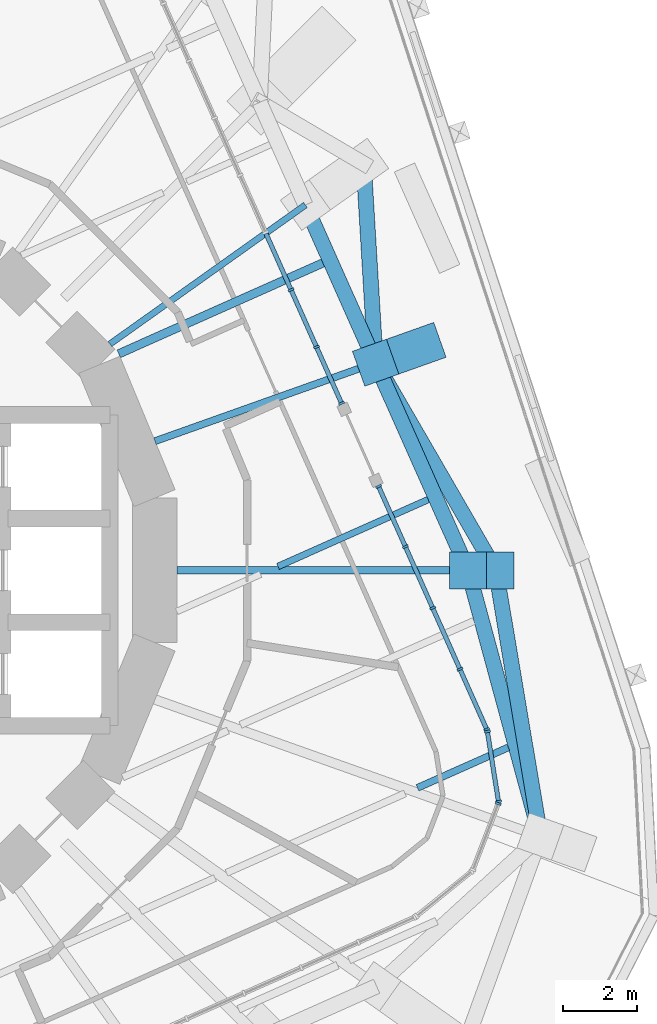
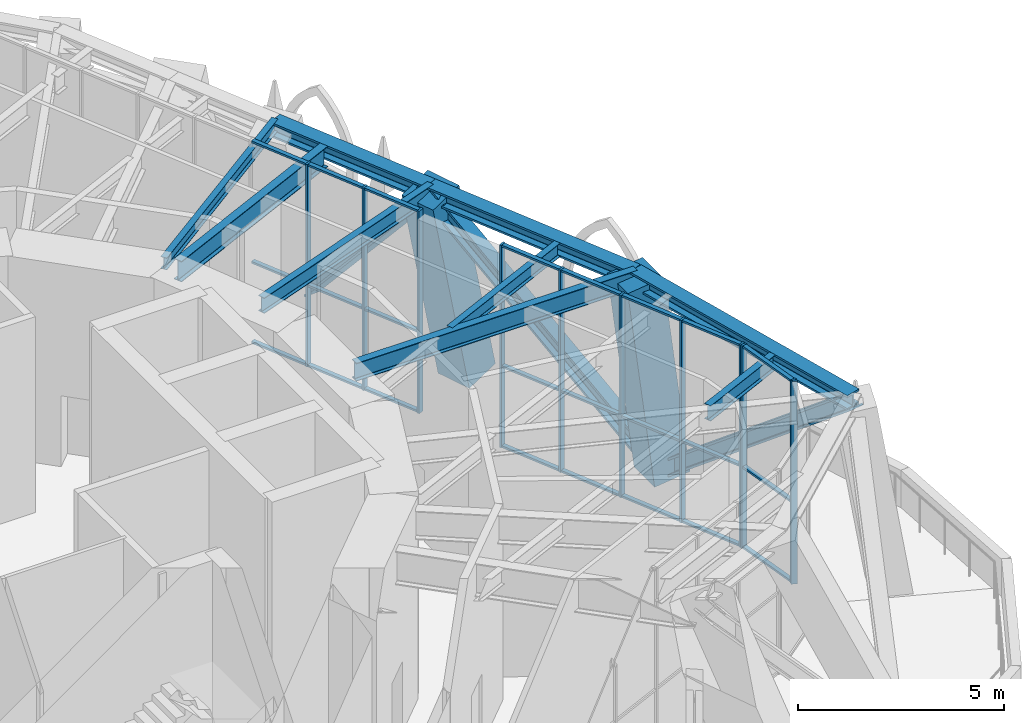
# One storey, part 6 of 18: 43 members, 6 beams, 4 elements without a shape of their own.
"""IFC4 building model written with IfcOpenShell, lengths in metres."""

from ifc_helpers import new_model, si_unit, direction, frame, origin, origin_2d, place, context, subcontext, project, spatial, rectangle, i_section, extrude, material, material_profile, profile_set, type_object, element, aggregate, save


model = new_model("IFC4")

# Units and contexts
model_context = context("Model", 3, precision=1e-05, world=origin(), true_north=direction((0.0, 1.0)))
body_context = subcontext(model_context, "Body", "Model", "MODEL_VIEW")
ifc_project = project(units=[si_unit("LENGTHUNIT", "METRE"), si_unit("AREAUNIT", "SQUARE_METRE"), si_unit("VOLUMEUNIT", "CUBIC_METRE"), si_unit("PLANEANGLEUNIT", "RADIAN"), si_unit("MASSUNIT", "GRAM", prefix="KILO")], contexts=[model_context])

# Site, building, storey
site_placement = place(None, origin())
site = spatial("IfcSite", under=ifc_project, at=site_placement, CompositionType="ELEMENT")
building_placement = place(site_placement, origin())
building = spatial("IfcBuilding", under=site, at=building_placement, Name="Nakasero Lantern House", CompositionType="ELEMENT")
storey_placement = place(building_placement, frame((0.0, 0.0, 176.449951171875)))
storey = spatial("IfcBuildingStorey", under=building, at=storey_placement, Name="L43", CompositionType="ELEMENT", Elevation=176.449951171875)

# Members
ifc_material_1 = material(Name="Steel S355", Category="steel")
ifc_material_profile_1 = material_profile(ifc_material_1, i_section(OverallWidth=0.412109375, OverallDepth=0.4365234375, WebThickness=0.035888671875, FlangeThickness=0.05810546875, FilletRadius=0.01513671875, at=origin_2d()), Name="UC 356x406x467")
ifc_profile_set_1 = profile_set([ifc_material_profile_1], Name="Steel S355")
member_type_1 = type_object("IfcMemberType", Name="Belt truss chord UC 356x406x467", PredefinedType="CHORD", material=ifc_profile_set_1)
member_1_placement = place(storey_placement, frame((20.2353515625, -7.19482421875, 5.581787109375), z_axis=(-0.26219461312, 0.965015017941, 0.0), x_axis=(-0.965015017941, -0.26219461312, 0.0)))
element("IfcMember", 1, at=member_1_placement, inside=storey, type_object=member_type_1, Name="Belt truss top chord T4 B5-C02T", PredefinedType="CHORD", context=body_context, shape_type="SweptSolid", body=[
    extrude(i_section(OverallWidth=0.412109375, OverallDepth=0.4365234375, WebThickness=0.035888671875, FlangeThickness=0.05810546875, FilletRadius=0.01513671875, at=origin_2d()), origin(), (0.0, 0.0, 1.0), 7.45556640625),
])
member_2_placement = place(storey_placement, frame((18.280517578125, 0.0, 5.581787109375), z_axis=(-0.406765299215, 0.913532698569, 0.0), x_axis=(-0.913532698569, -0.406765299215, 0.0)))
element("IfcMember", 2, at=member_2_placement, inside=storey, type_object=member_type_1, Name="Belt truss top chord T4 B5-C03T", PredefinedType="CHORD", context=body_context, shape_type="SweptSolid", body=[
    extrude(i_section(OverallWidth=0.412109375, OverallDepth=0.4365234375, WebThickness=0.035888671875, FlangeThickness=0.05810546875, FilletRadius=0.01513671875, at=origin_2d()), origin(), (0.0, 0.0, 1.0), 6.142333984375),
])
member_3_placement = place(storey_placement, frame((15.781982421875, 5.611328125, 5.581787109375), z_axis=(-0.406701600856, 0.913561058639, 0.0), x_axis=(-0.913561058639, -0.406701600856, 0.0)))
element("IfcMember", 3, at=member_3_placement, inside=storey, type_object=member_type_1, Name="Belt truss top chord T4 B5-C04T", PredefinedType="CHORD", context=body_context, shape_type="SweptSolid", body=[
    extrude(i_section(OverallWidth=0.412109375, OverallDepth=0.4365234375, WebThickness=0.035888671875, FlangeThickness=0.05810546875, FilletRadius=0.01513671875, at=origin_2d()), origin(), (0.0, 0.0, 1.0), 4.66552734375),
])
ifc_material_2 = material(Name="Steel S355", Category="steel")
ifc_material_profile_2 = material_profile(ifc_material_2, i_section(OverallWidth=0.412109375, OverallDepth=0.4365234375, WebThickness=0.035888671875, FlangeThickness=0.05810546875, FilletRadius=0.01513671875, at=origin_2d()), Name="UC 356x406x467")
ifc_profile_set_2 = profile_set([ifc_material_profile_2], Name="Steel S355")
member_type_2 = type_object("IfcMemberType", Name="Belt truss diagonal UC 356x406x467", PredefinedType="BRACE", material=ifc_profile_set_2)
member_4_placement = place(storey_placement, frame((20.2353515625, -7.19482421875, 5.581787109375), z_axis=(-0.127454941735, 0.761731318786, -0.635232741448), x_axis=(-0.986288797628, -0.165028505636, 0.0)))
element("IfcMember", 4, at=member_4_placement, inside=storey, type_object=member_type_2, Name="Belt truss diagonal T4-02", PredefinedType="BRACE", context=body_context, shape_type="SweptSolid", body=[
    extrude(i_section(OverallWidth=0.412109375, OverallDepth=0.4365234375, WebThickness=0.035888671875, FlangeThickness=0.05810546875, FilletRadius=0.01513671875, at=origin_2d()), origin(), (0.0, 0.0, 1.0), 9.4453125),
])
member_5_placement = place(storey_placement, frame((19.031494140625, 0.0, -0.418212890625), z_axis=(-0.367825526504, 0.635169188668, 0.679164548412), x_axis=(-0.865369569162, -0.501134222309, 0.0)))
element("IfcMember", 5, at=member_5_placement, inside=storey, type_object=member_type_2, Name="Belt truss diagonal T4-03", PredefinedType="BRACE", context=body_context, shape_type="SweptSolid", body=[
    extrude(i_section(OverallWidth=0.412109375, OverallDepth=0.4365234375, WebThickness=0.035888671875, FlangeThickness=0.05810546875, FilletRadius=0.01513671875, at=origin_2d()), origin(), (0.0, 0.0, 1.0), 8.83447265625),
])
member_6_placement = place(storey_placement, frame((15.781982421875, 5.611328125, 5.581787109375), z_axis=(-0.039980645489, 0.66720161227, -0.743803439472), x_axis=(-0.998209444566, -0.059815589761, 0.0)))
element("IfcMember", 6, at=member_6_placement, inside=storey, type_object=member_type_2, Name="Belt truss diagonal T4-04", PredefinedType="BRACE", context=body_context, shape_type="SweptSolid", body=[
    extrude(i_section(OverallWidth=0.412109375, OverallDepth=0.4365234375, WebThickness=0.035888671875, FlangeThickness=0.05810546875, FilletRadius=0.01513671875, at=origin_2d()), origin(), (0.0, 0.0, 1.0), 8.066650390625),
])

# Beams
ifc_material_3 = material(Name="Steel S355", Category="steel")
ifc_material_profile_3 = material_profile(ifc_material_3, i_section(OverallWidth=0.177978515625, OverallDepth=0.406494140625, WebThickness=0.0078125, FlangeThickness=0.0126953125, FilletRadius=0.01025390625, at=origin_2d()), Name="UB 406x178x60")
ifc_profile_set_3 = profile_set([ifc_material_profile_3], Name="Steel S355")
beam_type_1 = type_object("IfcBeamType", Name="Infill beam UB 406x178x60", PredefinedType="JOIST", material=ifc_profile_set_3)
beam_1_placement = place(storey_placement, frame((13.1435546875, 0.10498046875, 5.596923828125), z_axis=(0.913539493059, 0.406750039486, 0.0), x_axis=(-0.406750039486, 0.913539493059, 0.0)))
element("IfcBeam", 7, at=beam_1_placement, inside=storey, type_object=beam_type_1, Name="Infill beam L44 06.4", PredefinedType="JOIST", context=body_context, shape_type="SweptSolid", body=[
    extrude(i_section(OverallWidth=0.177978515625, OverallDepth=0.406494140625, WebThickness=0.0078125, FlangeThickness=0.0126953125, FilletRadius=0.01025390625, at=origin_2d()), origin(), (0.0, 0.0, 1.0), 4.444091796875),
])
ifc_material_4 = material(Name="Steel S355", Category="steel")
ifc_material_profile_4 = material_profile(ifc_material_4, i_section(OverallWidth=0.18994140625, OverallDepth=0.453369140625, WebThickness=0.008544921875, FlangeThickness=0.0126953125, FilletRadius=0.01025390625, at=origin_2d()), Name="UB 457x191x67")
ifc_profile_set_4 = profile_set([ifc_material_profile_4], Name="Steel S355")
beam_type_2 = type_object("IfcBeamType", Name="Infill beam UB 457x191x67", PredefinedType="JOIST", material=ifc_profile_set_4)
beam_2_placement = place(storey_placement, frame((16.913330078125, -5.87890625, 5.5732421875), z_axis=(0.913560273348, 0.406703364826, 0.0), x_axis=(-0.406703364826, 0.913560273348, 0.0)))
element("IfcBeam", 8, at=beam_2_placement, inside=storey, type_object=beam_type_2, Name="Infill beam L44 04.8", PredefinedType="JOIST", context=body_context, shape_type="SweptSolid", body=[
    extrude(i_section(OverallWidth=0.18994140625, OverallDepth=0.453369140625, WebThickness=0.008544921875, FlangeThickness=0.0126953125, FilletRadius=0.01025390625, at=origin_2d()), origin(), (0.0, 0.0, 1.0), 2.686279296875),
])
ifc_material_5 = material(Name="Steel S355", Category="steel")
ifc_material_profile_5 = material_profile(ifc_material_5, i_section(OverallWidth=0.22900390625, OverallDepth=0.6123046875, WebThickness=0.011962890625, FlangeThickness=0.01953125, FilletRadius=0.0126953125, at=origin_2d()), Name="UB 610x229x125")
ifc_profile_set_5 = profile_set([ifc_material_profile_5], Name="Steel S355")
beam_type_3 = type_object("IfcBeamType", Name="Infill beam UB 610x229x125", PredefinedType="JOIST", material=ifc_profile_set_5)
beam_3_placement = place(storey_placement, frame((8.84130859375, 5.85205078125, 5.493896484375), z_axis=(0.913549526553, 0.40672750403, 0.0), x_axis=(-0.40672750403, 0.913549526553, 0.0)))
element("IfcBeam", 9, at=beam_3_placement, inside=storey, type_object=beam_type_3, Name="Infill beam L44 08.1", PredefinedType="JOIST", context=body_context, shape_type="SweptSolid", body=[
    extrude(i_section(OverallWidth=0.22900390625, OverallDepth=0.6123046875, WebThickness=0.011962890625, FlangeThickness=0.01953125, FilletRadius=0.0126953125, at=origin_2d()), origin(), (0.0, 0.0, 1.0), 6.036865234375),
])

# Curtain wall, members
ifc_material_6 = material(Name="Aluminium 6063-T6 and glass", Category="aluminium")
curtain_wall_type = type_object("IfcCurtainWallType", Name="Sky lounge glazing CW-3", PredefinedType="USERDEFINED", material=ifc_material_6)
curtain_wall_1_placement = place(storey_placement, origin())
curtain_wall_1 = element("IfcCurtainWall", 10, at=curtain_wall_1_placement, inside=storey, type_object=curtain_wall_type, Name="Curtain wall CW-3 L43", ObjectType="STICK CURTAIN WALL", PredefinedType="USERDEFINED")
ifc_material_7 = material(Name="Aluminium 6063-T6", Category="aluminium")
ifc_material_profile_6 = material_profile(ifc_material_7, rectangle(XDim=0.06005859375, YDim=0.159912109375, at=origin_2d()), Name="CW-3 mullion 60x160")
ifc_profile_set_6 = profile_set([ifc_material_profile_6], Name="Aluminium 6063-T6")
member_type_3 = type_object("IfcMemberType", Name="Mullion CW-3", PredefinedType="MULLION", material=ifc_profile_set_6)
member_7_placement = place(storey_placement, frame((18.786376953125, -4.30078125, 0.0), z_axis=(0.0, 0.0, 1.0), x_axis=(-0.406736643076, 0.913545457643, 0.0)))
member_7 = element("IfcMember", 11, at=member_7_placement, type_object=member_type_3, Name="CW-3 mullion 1", PredefinedType="MULLION", context=body_context, shape_type="SweptSolid", body=[
    extrude(rectangle(XDim=0.06005859375, YDim=0.159912109375, at=origin_2d()), origin(), (0.0, 0.0, 1.0), 6.0),
])
member_8_placement = place(storey_placement, frame((18.0615234375, -2.67236328125, 0.0), z_axis=(0.0, 0.0, 1.0), x_axis=(-0.406736643076, 0.913545457643, 0.0)))
member_8 = element("IfcMember", 12, at=member_8_placement, type_object=member_type_3, Name="CW-3 mullion 2", PredefinedType="MULLION", context=body_context, shape_type="SweptSolid", body=[
    extrude(rectangle(XDim=0.06005859375, YDim=0.159912109375, at=origin_2d()), origin(), (0.0, 0.0, 1.0), 6.0),
])
member_9_placement = place(storey_placement, frame((17.32421875, -1.0166015625, 0.0), z_axis=(0.0, 0.0, 1.0), x_axis=(-0.406736643076, 0.913545457643, 0.0)))
member_9 = element("IfcMember", 13, at=member_9_placement, type_object=member_type_3, Name="CW-3 mullion 3", PredefinedType="MULLION", context=body_context, shape_type="SweptSolid", body=[
    extrude(rectangle(XDim=0.06005859375, YDim=0.159912109375, at=origin_2d()), origin(), (0.0, 0.0, 1.0), 6.0),
])
member_10_placement = place(storey_placement, frame((16.5869140625, 0.639404296875, 0.0), z_axis=(0.0, 0.0, 1.0), x_axis=(-0.406736643076, 0.913545457643, 0.0)))
member_10 = element("IfcMember", 14, at=member_10_placement, type_object=member_type_3, Name="CW-3 mullion 4", PredefinedType="MULLION", context=body_context, shape_type="SweptSolid", body=[
    extrude(rectangle(XDim=0.06005859375, YDim=0.159912109375, at=origin_2d()), origin(), (0.0, 0.0, 1.0), 6.0),
])
member_11_placement = place(storey_placement, frame((15.862060546875, 2.267822265625, 0.0), z_axis=(0.0, 0.0, 1.0), x_axis=(-0.406736643076, 0.913545457643, 0.0)))
member_11 = element("IfcMember", 15, at=member_11_placement, type_object=member_type_3, Name="CW-3 mullion 5", PredefinedType="MULLION", context=body_context, shape_type="SweptSolid", body=[
    extrude(rectangle(XDim=0.06005859375, YDim=0.159912109375, at=origin_2d()), origin(), (0.0, 0.0, 1.0), 6.0),
])

curtain_wall_2_placement = place(storey_placement, origin())
curtain_wall_2 = element("IfcCurtainWall", 16, at=curtain_wall_2_placement, inside=storey, type_object=curtain_wall_type, Name="Curtain wall CW-3 L43", ObjectType="STICK CURTAIN WALL", PredefinedType="USERDEFINED")
member_12_placement = place(storey_placement, frame((14.861328125, 4.51513671875, 0.0), z_axis=(0.0, 0.0, 1.0), x_axis=(-0.406736643076, 0.913545457643, 0.0)))
member_12 = element("IfcMember", 17, at=member_12_placement, type_object=member_type_3, Name="CW-3 mullion 1", PredefinedType="MULLION", context=body_context, shape_type="SweptSolid", body=[
    extrude(rectangle(XDim=0.06005859375, YDim=0.159912109375, at=origin_2d()), origin(), (0.0, 0.0, 1.0), 6.0),
])
member_13_placement = place(storey_placement, frame((14.184814453125, 6.034912109375, 0.0), z_axis=(0.0, 0.0, 1.0), x_axis=(-0.406736643076, 0.913545457643, 0.0)))
member_13 = element("IfcMember", 18, at=member_13_placement, type_object=member_type_3, Name="CW-3 mullion 2", PredefinedType="MULLION", context=body_context, shape_type="SweptSolid", body=[
    extrude(rectangle(XDim=0.06005859375, YDim=0.159912109375, at=origin_2d()), origin(), (0.0, 0.0, 1.0), 6.0),
])
member_14_placement = place(storey_placement, frame((13.495849609375, 7.582275390625, 0.0), z_axis=(0.0, 0.0, 1.0), x_axis=(-0.406736643076, 0.913545457643, 0.0)))
member_14 = element("IfcMember", 19, at=member_14_placement, type_object=member_type_3, Name="CW-3 mullion 3", PredefinedType="MULLION", context=body_context, shape_type="SweptSolid", body=[
    extrude(rectangle(XDim=0.06005859375, YDim=0.159912109375, at=origin_2d()), origin(), (0.0, 0.0, 1.0), 6.0),
])

# Curtain wall, member
curtain_wall_3_placement = place(storey_placement, origin())
curtain_wall_3 = element("IfcCurtainWall", 20, at=curtain_wall_3_placement, inside=storey, type_object=curtain_wall_type, Name="Curtain wall CW-3 L43", ObjectType="STICK CURTAIN WALL", PredefinedType="USERDEFINED")
member_15_placement = place(storey_placement, frame((19.0966796875, -6.3056640625, 0.0), z_axis=(0.0, 0.0, 1.0), x_axis=(0.358367949545, 0.933580426497, 0.0)))
member_15 = element("IfcMember", 21, at=member_15_placement, type_object=member_type_3, Name="CW-3 mullion 2", PredefinedType="MULLION", context=body_context, shape_type="SweptSolid", body=[
    extrude(rectangle(XDim=0.06005859375, YDim=0.159912109375, at=origin_2d()), origin(), (0.0, 0.0, 1.0), 6.0),
])
aggregate(curtain_wall_3, [member_15])

# Curtain wall, members
curtain_wall_4_placement = place(storey_placement, origin())
curtain_wall_4 = element("IfcCurtainWall", 22, at=curtain_wall_4_placement, inside=storey, type_object=curtain_wall_type, Name="Curtain wall CW-3 L43", ObjectType="STICK CURTAIN WALL", PredefinedType="USERDEFINED")
member_16_placement = place(storey_placement, frame((19.102783203125, -6.247802734375, 0.0), z_axis=(0.0, 0.0, 1.0), x_axis=(-0.15643446504, 0.987688340595, 0.0)))
member_16 = element("IfcMember", 23, at=member_16_placement, type_object=member_type_3, Name="CW-3 mullion 1", PredefinedType="MULLION", context=body_context, shape_type="SweptSolid", body=[
    extrude(rectangle(XDim=0.06005859375, YDim=0.159912109375, at=origin_2d()), origin(), (0.0, 0.0, 1.0), 6.0),
])
member_17_placement = place(storey_placement, frame((18.80322265625, -4.357666015625, 0.0), z_axis=(0.0, 0.0, 1.0), x_axis=(-0.15643446504, 0.987688340595, 0.0)))
member_17 = element("IfcMember", 24, at=member_17_placement, type_object=member_type_3, Name="CW-3 mullion 2", PredefinedType="MULLION", context=body_context, shape_type="SweptSolid", body=[
    extrude(rectangle(XDim=0.06005859375, YDim=0.159912109375, at=origin_2d()), origin(), (0.0, 0.0, 1.0), 6.0),
])

# Beams
ifc_material_8 = material(Name="Steel S355", Category="steel")
ifc_material_profile_7 = material_profile(ifc_material_8, i_section(OverallWidth=0.17138671875, OverallDepth=0.35498046875, WebThickness=0.00732421875, FlangeThickness=0.011474609375, FilletRadius=0.01025390625, at=origin_2d()), Name="UB 356x171x51")
ifc_profile_set_7 = profile_set([ifc_material_profile_7], Name="Steel S355")
beam_type_4 = type_object("IfcBeamType", Name="Primary beam UB 356x171x51, span 6 to 9 m", PredefinedType="BEAM", material=ifc_profile_set_7)
beam_4_placement = place(storey_placement, frame((13.884521484375, 9.87353515625, 5.62255859375), z_axis=(-0.8149430702, -0.57954101868, 0.0), x_axis=(0.57954101868, -0.8149430702, 0.0)))
element("IfcBeam", 25, at=beam_4_placement, inside=storey, type_object=beam_type_4, Name="Primary beam L44 B5-C05T", PredefinedType="BEAM", context=body_context, shape_type="SweptSolid", body=[
    extrude(i_section(OverallWidth=0.17138671875, OverallDepth=0.35498046875, WebThickness=0.00732421875, FlangeThickness=0.011474609375, FilletRadius=0.01025390625, at=origin_2d()), origin(), (0.0, 0.0, 1.0), 6.48193359375),
])
ifc_material_9 = material(Name="Steel S355", Category="steel")
ifc_material_profile_8 = material_profile(ifc_material_9, i_section(OverallWidth=0.19140625, OverallDepth=0.4599609375, WebThickness=0.010009765625, FlangeThickness=0.01611328125, FilletRadius=0.01025390625, at=origin_2d()), Name="UB 457x191x82")
ifc_profile_set_8 = profile_set([ifc_material_profile_8], Name="Steel S355")
beam_type_5 = type_object("IfcBeamType", Name="Primary beam UB 457x191x82, span 6 to 9 m", PredefinedType="BEAM", material=ifc_profile_set_8)
beam_5_placement = place(storey_placement, frame((15.781982421875, 5.611328125, 5.570068359375), z_axis=(-0.942211442913, -0.335018800731, 0.0), x_axis=(0.335018800731, -0.942211442913, 0.0)))
element("IfcBeam", 26, at=beam_5_placement, inside=storey, type_object=beam_type_5, Name="Primary beam L44 B5-C04T", PredefinedType="BEAM", context=body_context, shape_type="SweptSolid", body=[
    extrude(i_section(OverallWidth=0.19140625, OverallDepth=0.4599609375, WebThickness=0.010009765625, FlangeThickness=0.01611328125, FilletRadius=0.01025390625, at=origin_2d()), origin(), (0.0, 0.0, 1.0), 6.328369140625),
])
ifc_material_10 = material(Name="Steel S355", Category="steel")
ifc_material_profile_9 = material_profile(ifc_material_10, i_section(OverallWidth=0.2099609375, OverallDepth=0.53662109375, WebThickness=0.0107421875, FlangeThickness=0.017333984375, FilletRadius=0.0126953125, at=origin_2d()), Name="UB 533x210x101")
ifc_profile_set_9 = profile_set([ifc_material_profile_9], Name="Steel S355")
beam_type_6 = type_object("IfcBeamType", Name="Primary beam UB 533x210x101, span 6 to 9 m", PredefinedType="BEAM", material=ifc_profile_set_9)
beam_6_placement = place(storey_placement, frame((18.280517578125, 0.0, 5.53173828125), z_axis=(-1.0, 0.0, 0.0), x_axis=(0.0, -1.0, 0.0)))
element("IfcBeam", 27, at=beam_6_placement, inside=storey, type_object=beam_type_6, Name="Primary beam L44 B5-C03T", PredefinedType="BEAM", context=body_context, shape_type="SweptSolid", body=[
    extrude(i_section(OverallWidth=0.2099609375, OverallDepth=0.53662109375, WebThickness=0.0107421875, FlangeThickness=0.017333984375, FilletRadius=0.0126953125, at=origin_2d()), origin(), (0.0, 0.0, 1.0), 7.87255859375),
])

# Members
ifc_material_11 = material(Name="Concrete C50/60", Category="concrete")
ifc_material_profile_10 = material_profile(ifc_material_11, rectangle(XDim=1.0, YDim=1.0, at=origin_2d()), Name="RC 1000x1000")
ifc_profile_set_10 = profile_set([ifc_material_profile_10], Name="Concrete C50/60")
member_type_4 = type_object("IfcMemberType", Name="Raking column RC 1000x1000 C50/60", PredefinedType="STRUT", material=ifc_profile_set_10)
member_18_placement = place(storey_placement, frame((19.031494140625, 0.0, -0.418212890625), z_axis=(-0.1241937487, 0.0, 0.992257987009), x_axis=(0.0, -1.0, 0.0)))
element("IfcMember", 28, at=member_18_placement, inside=storey, type_object=member_type_4, Name="Raking column B5-C03T L43", PredefinedType="STRUT", context=body_context, shape_type="SweptSolid", body=[
    extrude(rectangle(XDim=1.0, YDim=1.0, at=origin_2d()), origin(), (0.0, 0.0, 1.0), 6.046875),
])
member_19_placement = place(storey_placement, frame((17.060546875, 6.06591796875, -0.418212890625), z_axis=(-0.207844792965, -0.073898606932, 0.975366360877), x_axis=(0.335002568833, -0.942217214275, 0.0)))
element("IfcMember", 29, at=member_19_placement, inside=storey, type_object=member_type_4, Name="Raking column B5-C04T L43", PredefinedType="STRUT", context=body_context, shape_type="SweptSolid", body=[
    extrude(rectangle(XDim=1.0, YDim=1.0, at=origin_2d()), origin(), (0.0, 0.0, 1.0), 6.151611328125),
])

# Member
ifc_material_12 = material(Name="Aluminium 6063-T6", Category="aluminium")
ifc_material_profile_11 = material_profile(ifc_material_12, rectangle(XDim=0.06005859375, YDim=0.1201171875, at=origin_2d()), Name="CW-3 transom 60x120")
ifc_profile_set_11 = profile_set([ifc_material_profile_11], Name="Aluminium 6063-T6")
member_type_5 = type_object("IfcMemberType", Name="Transom CW-3", PredefinedType="USERDEFINED", material=ifc_profile_set_11)
member_20_placement = place(storey_placement, frame((18.774169921875, -4.273193359375, 0.030029296875), z_axis=(-0.406677625737, 0.913571731571, 0.0), x_axis=(0.0, 0.0, 1.0)))
member_20 = element("IfcMember", 30, at=member_20_placement, type_object=member_type_5, Name="CW-3 transom 1.1", ObjectType="TRANSOM", PredefinedType="USERDEFINED", context=body_context, shape_type="SweptSolid", body=[
    extrude(rectangle(XDim=0.06005859375, YDim=0.1201171875, at=origin_2d()), origin(), (0.0, 0.0, 1.0), 1.722412109375),
])

member_21_placement = place(storey_placement, frame((18.774169921875, -4.273193359375, 2.400146484375), z_axis=(-0.406677625737, 0.913571731571, 0.0), x_axis=(0.0, 0.0, 1.0)))
member_21 = element("IfcMember", 31, at=member_21_placement, type_object=member_type_5, Name="CW-3 transom 1.2", ObjectType="TRANSOM", PredefinedType="USERDEFINED", context=body_context, shape_type="SweptSolid", body=[
    extrude(rectangle(XDim=0.06005859375, YDim=0.1201171875, at=origin_2d()), origin(), (0.0, 0.0, 1.0), 1.722412109375),
])

member_22_placement = place(storey_placement, frame((18.774169921875, -4.273193359375, 5.969970703125), z_axis=(-0.406677625737, 0.913571731571, 0.0), x_axis=(0.0, 0.0, 1.0)))
member_22 = element("IfcMember", 32, at=member_22_placement, type_object=member_type_5, Name="CW-3 transom 1.3", ObjectType="TRANSOM", PredefinedType="USERDEFINED", context=body_context, shape_type="SweptSolid", body=[
    extrude(rectangle(XDim=0.06005859375, YDim=0.1201171875, at=origin_2d()), origin(), (0.0, 0.0, 1.0), 1.722412109375),
])

member_23_placement = place(storey_placement, frame((18.04931640625, -2.644775390625, 0.030029296875), z_axis=(-0.406810532882, 0.913512556201, 0.0), x_axis=(0.0, 0.0, 1.0)))
member_23 = element("IfcMember", 33, at=member_23_placement, type_object=member_type_5, Name="CW-3 transom 2.1", ObjectType="TRANSOM", PredefinedType="USERDEFINED", context=body_context, shape_type="SweptSolid", body=[
    extrude(rectangle(XDim=0.06005859375, YDim=0.1201171875, at=origin_2d()), origin(), (0.0, 0.0, 1.0), 1.75244140625),
])

member_24_placement = place(storey_placement, frame((18.04931640625, -2.644775390625, 2.400146484375), z_axis=(-0.406810532882, 0.913512556201, 0.0), x_axis=(0.0, 0.0, 1.0)))
member_24 = element("IfcMember", 34, at=member_24_placement, type_object=member_type_5, Name="CW-3 transom 2.2", ObjectType="TRANSOM", PredefinedType="USERDEFINED", context=body_context, shape_type="SweptSolid", body=[
    extrude(rectangle(XDim=0.06005859375, YDim=0.1201171875, at=origin_2d()), origin(), (0.0, 0.0, 1.0), 1.75244140625),
])

member_25_placement = place(storey_placement, frame((18.04931640625, -2.644775390625, 5.969970703125), z_axis=(-0.406810532882, 0.913512556201, 0.0), x_axis=(0.0, 0.0, 1.0)))
member_25 = element("IfcMember", 35, at=member_25_placement, type_object=member_type_5, Name="CW-3 transom 2.3", ObjectType="TRANSOM", PredefinedType="USERDEFINED", context=body_context, shape_type="SweptSolid", body=[
    extrude(rectangle(XDim=0.06005859375, YDim=0.1201171875, at=origin_2d()), origin(), (0.0, 0.0, 1.0), 1.75244140625),
])

member_26_placement = place(storey_placement, frame((17.31201171875, -0.989013671875, 0.030029296875), z_axis=(-0.406810532882, 0.913512556201, 0.0), x_axis=(0.0, 0.0, 1.0)))
member_26 = element("IfcMember", 36, at=member_26_placement, type_object=member_type_5, Name="CW-3 transom 3.1", ObjectType="TRANSOM", PredefinedType="USERDEFINED", context=body_context, shape_type="SweptSolid", body=[
    extrude(rectangle(XDim=0.06005859375, YDim=0.1201171875, at=origin_2d()), origin(), (0.0, 0.0, 1.0), 1.75244140625),
])

member_27_placement = place(storey_placement, frame((17.31201171875, -0.989013671875, 2.400146484375), z_axis=(-0.406810532882, 0.913512556201, 0.0), x_axis=(0.0, 0.0, 1.0)))
member_27 = element("IfcMember", 37, at=member_27_placement, type_object=member_type_5, Name="CW-3 transom 3.2", ObjectType="TRANSOM", PredefinedType="USERDEFINED", context=body_context, shape_type="SweptSolid", body=[
    extrude(rectangle(XDim=0.06005859375, YDim=0.1201171875, at=origin_2d()), origin(), (0.0, 0.0, 1.0), 1.75244140625),
])

member_28_placement = place(storey_placement, frame((17.31201171875, -0.989013671875, 5.969970703125), z_axis=(-0.406810532882, 0.913512556201, 0.0), x_axis=(0.0, 0.0, 1.0)))
member_28 = element("IfcMember", 38, at=member_28_placement, type_object=member_type_5, Name="CW-3 transom 3.3", ObjectType="TRANSOM", PredefinedType="USERDEFINED", context=body_context, shape_type="SweptSolid", body=[
    extrude(rectangle(XDim=0.06005859375, YDim=0.1201171875, at=origin_2d()), origin(), (0.0, 0.0, 1.0), 1.75244140625),
])

member_29_placement = place(storey_placement, frame((16.57470703125, 0.666748046875, 0.030029296875), z_axis=(-0.406677625737, 0.913571731571, 0.0), x_axis=(0.0, 0.0, 1.0)))
member_29 = element("IfcMember", 39, at=member_29_placement, type_object=member_type_5, Name="CW-3 transom 4.1", ObjectType="TRANSOM", PredefinedType="USERDEFINED", context=body_context, shape_type="SweptSolid", body=[
    extrude(rectangle(XDim=0.06005859375, YDim=0.1201171875, at=origin_2d()), origin(), (0.0, 0.0, 1.0), 1.722412109375),
])

member_30_placement = place(storey_placement, frame((16.57470703125, 0.666748046875, 2.400146484375), z_axis=(-0.406677625737, 0.913571731571, 0.0), x_axis=(0.0, 0.0, 1.0)))
member_30 = element("IfcMember", 40, at=member_30_placement, type_object=member_type_5, Name="CW-3 transom 4.2", ObjectType="TRANSOM", PredefinedType="USERDEFINED", context=body_context, shape_type="SweptSolid", body=[
    extrude(rectangle(XDim=0.06005859375, YDim=0.1201171875, at=origin_2d()), origin(), (0.0, 0.0, 1.0), 1.722412109375),
])

member_31_placement = place(storey_placement, frame((16.57470703125, 0.666748046875, 5.969970703125), z_axis=(-0.406677625737, 0.913571731571, 0.0), x_axis=(0.0, 0.0, 1.0)))
member_31 = element("IfcMember", 41, at=member_31_placement, type_object=member_type_5, Name="CW-3 transom 4.3", ObjectType="TRANSOM", PredefinedType="USERDEFINED", context=body_context, shape_type="SweptSolid", body=[
    extrude(rectangle(XDim=0.06005859375, YDim=0.1201171875, at=origin_2d()), origin(), (0.0, 0.0, 1.0), 1.722412109375),
])

aggregate(curtain_wall_1, [member_7, member_8, member_9, member_10, member_11, member_20, member_21, member_22, member_23, member_24, member_25, member_26, member_27, member_28, member_29, member_30, member_31])

member_32_placement = place(storey_placement, frame((14.84912109375, 4.54248046875, 0.030029296875), z_axis=(-0.406632793945, 0.913591687182, 0.0), x_axis=(0.0, 0.0, 1.0)))
member_32 = element("IfcMember", 42, at=member_32_placement, type_object=member_type_5, Name="CW-3 transom 1.1", ObjectType="TRANSOM", PredefinedType="USERDEFINED", context=body_context, shape_type="SweptSolid", body=[
    extrude(rectangle(XDim=0.06005859375, YDim=0.1201171875, at=origin_2d()), origin(), (0.0, 0.0, 1.0), 1.603759765625),
])

member_33_placement = place(storey_placement, frame((14.84912109375, 4.54248046875, 2.400146484375), z_axis=(-0.406632793945, 0.913591687182, 0.0), x_axis=(0.0, 0.0, 1.0)))
member_33 = element("IfcMember", 43, at=member_33_placement, type_object=member_type_5, Name="CW-3 transom 1.2", ObjectType="TRANSOM", PredefinedType="USERDEFINED", context=body_context, shape_type="SweptSolid", body=[
    extrude(rectangle(XDim=0.06005859375, YDim=0.1201171875, at=origin_2d()), origin(), (0.0, 0.0, 1.0), 1.603759765625),
])

member_34_placement = place(storey_placement, frame((14.84912109375, 4.54248046875, 5.969970703125), z_axis=(-0.406632793945, 0.913591687182, 0.0), x_axis=(0.0, 0.0, 1.0)))
member_34 = element("IfcMember", 44, at=member_34_placement, type_object=member_type_5, Name="CW-3 transom 1.3", ObjectType="TRANSOM", PredefinedType="USERDEFINED", context=body_context, shape_type="SweptSolid", body=[
    extrude(rectangle(XDim=0.06005859375, YDim=0.1201171875, at=origin_2d()), origin(), (0.0, 0.0, 1.0), 1.603759765625),
])

member_35_placement = place(storey_placement, frame((14.172607421875, 6.062255859375, 0.030029296875), z_axis=(-0.406720658648, 0.913552574201, 0.0), x_axis=(0.0, 0.0, 1.0)))
member_35 = element("IfcMember", 45, at=member_35_placement, type_object=member_type_5, Name="CW-3 transom 2.1", ObjectType="TRANSOM", PredefinedType="USERDEFINED", context=body_context, shape_type="SweptSolid", body=[
    extrude(rectangle(XDim=0.06005859375, YDim=0.1201171875, at=origin_2d()), origin(), (0.0, 0.0, 1.0), 1.634033203125),
])

member_36_placement = place(storey_placement, frame((14.172607421875, 6.062255859375, 2.400146484375), z_axis=(-0.406720658648, 0.913552574201, 0.0), x_axis=(0.0, 0.0, 1.0)))
member_36 = element("IfcMember", 46, at=member_36_placement, type_object=member_type_5, Name="CW-3 transom 2.2", ObjectType="TRANSOM", PredefinedType="USERDEFINED", context=body_context, shape_type="SweptSolid", body=[
    extrude(rectangle(XDim=0.06005859375, YDim=0.1201171875, at=origin_2d()), origin(), (0.0, 0.0, 1.0), 1.634033203125),
])

member_37_placement = place(storey_placement, frame((14.172607421875, 6.062255859375, 5.969970703125), z_axis=(-0.406720658648, 0.913552574201, 0.0), x_axis=(0.0, 0.0, 1.0)))
member_37 = element("IfcMember", 47, at=member_37_placement, type_object=member_type_5, Name="CW-3 transom 2.3", ObjectType="TRANSOM", PredefinedType="USERDEFINED", context=body_context, shape_type="SweptSolid", body=[
    extrude(rectangle(XDim=0.06005859375, YDim=0.1201171875, at=origin_2d()), origin(), (0.0, 0.0, 1.0), 1.634033203125),
])

member_38_placement = place(storey_placement, frame((13.483642578125, 7.609619140625, 0.030029296875), z_axis=(-0.406776183997, 0.913527851865, 0.0), x_axis=(0.0, 0.0, 1.0)))
member_38 = element("IfcMember", 48, at=member_38_placement, type_object=member_type_5, Name="CW-3 transom 3.1", ObjectType="TRANSOM", PredefinedType="USERDEFINED", context=body_context, shape_type="SweptSolid", body=[
    extrude(rectangle(XDim=0.06005859375, YDim=0.1201171875, at=origin_2d()), origin(), (0.0, 0.0, 1.0), 1.6337890625),
])

member_39_placement = place(storey_placement, frame((13.483642578125, 7.609619140625, 2.400146484375), z_axis=(-0.406776183997, 0.913527851865, 0.0), x_axis=(0.0, 0.0, 1.0)))
member_39 = element("IfcMember", 49, at=member_39_placement, type_object=member_type_5, Name="CW-3 transom 3.2", ObjectType="TRANSOM", PredefinedType="USERDEFINED", context=body_context, shape_type="SweptSolid", body=[
    extrude(rectangle(XDim=0.06005859375, YDim=0.1201171875, at=origin_2d()), origin(), (0.0, 0.0, 1.0), 1.6337890625),
])

member_40_placement = place(storey_placement, frame((13.483642578125, 7.609619140625, 5.969970703125), z_axis=(-0.406776183997, 0.913527851865, 0.0), x_axis=(0.0, 0.0, 1.0)))
member_40 = element("IfcMember", 50, at=member_40_placement, type_object=member_type_5, Name="CW-3 transom 3.3", ObjectType="TRANSOM", PredefinedType="USERDEFINED", context=body_context, shape_type="SweptSolid", body=[
    extrude(rectangle(XDim=0.06005859375, YDim=0.1201171875, at=origin_2d()), origin(), (0.0, 0.0, 1.0), 1.6337890625),
])

aggregate(curtain_wall_2, [member_12, member_13, member_14, member_32, member_33, member_34, member_35, member_36, member_37, member_38, member_39, member_40])

member_41_placement = place(storey_placement, frame((19.097900390625, -6.21826171875, 0.030029296875), z_axis=(-0.156341321008, 0.987703088658, 0.0), x_axis=(0.0, 0.0, 1.0)))
member_41 = element("IfcMember", 51, at=member_41_placement, type_object=member_type_5, Name="CW-3 transom 1.1", ObjectType="TRANSOM", PredefinedType="USERDEFINED", context=body_context, shape_type="SweptSolid", body=[
    extrude(rectangle(XDim=0.06005859375, YDim=0.1201171875, at=origin_2d()), origin(), (0.0, 0.0, 1.0), 1.853515625),
])

member_42_placement = place(storey_placement, frame((19.097900390625, -6.21826171875, 2.400146484375), z_axis=(-0.156341321008, 0.987703088658, 0.0), x_axis=(0.0, 0.0, 1.0)))
member_42 = element("IfcMember", 52, at=member_42_placement, type_object=member_type_5, Name="CW-3 transom 1.2", ObjectType="TRANSOM", PredefinedType="USERDEFINED", context=body_context, shape_type="SweptSolid", body=[
    extrude(rectangle(XDim=0.06005859375, YDim=0.1201171875, at=origin_2d()), origin(), (0.0, 0.0, 1.0), 1.853515625),
])

member_43_placement = place(storey_placement, frame((19.097900390625, -6.21826171875, 5.969970703125), z_axis=(-0.156341321008, 0.987703088658, 0.0), x_axis=(0.0, 0.0, 1.0)))
member_43 = element("IfcMember", 53, at=member_43_placement, type_object=member_type_5, Name="CW-3 transom 1.3", ObjectType="TRANSOM", PredefinedType="USERDEFINED", context=body_context, shape_type="SweptSolid", body=[
    extrude(rectangle(XDim=0.06005859375, YDim=0.1201171875, at=origin_2d()), origin(), (0.0, 0.0, 1.0), 1.853515625),
])

aggregate(curtain_wall_4, [member_16, member_17, member_41, member_42, member_43])

save(model, "model.ifc")
